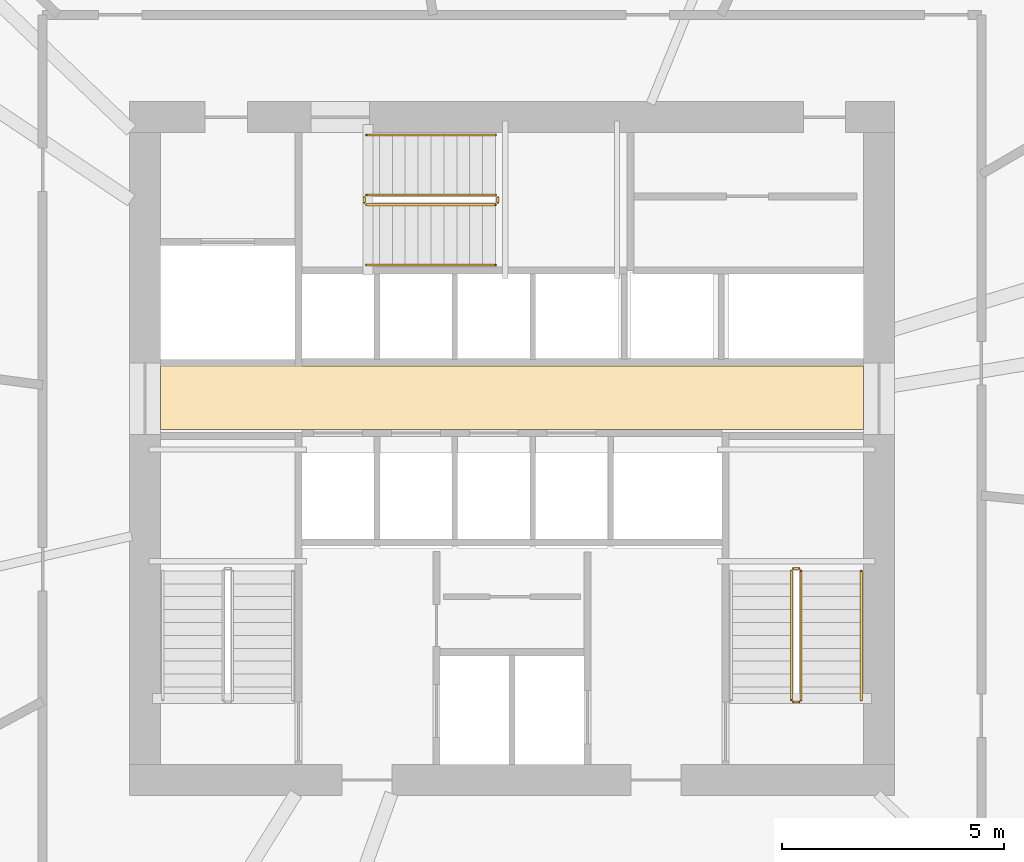
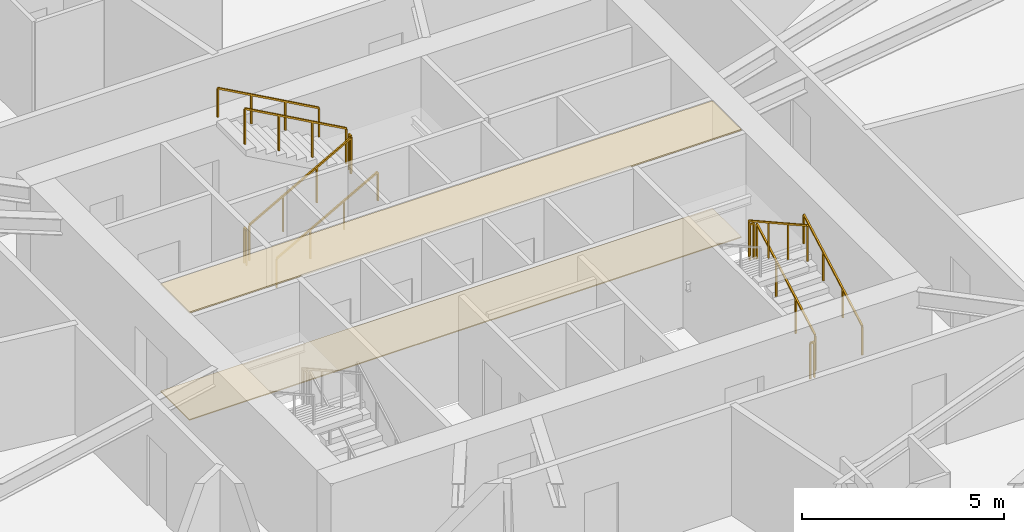
# One storey, part 20 of 22: 11 railings, 2 coverings.
"""IFC4 building model written with IfcOpenShell, lengths in metres."""

from ifc_helpers import new_model, si_unit, direction, frame, origin, origin_2d, place, context, subcontext, project, spatial, polyline, rectangle, outline, extrude, material, layer, layer_set, type_object, element, save


model = new_model("IFC4")

# Units and contexts
model_context = context("Model", 3, precision=1e-05, world=origin(), true_north=direction((0.0, 1.0)))
body_context = subcontext(model_context, "Body", "Model", "MODEL_VIEW")
ifc_project = project(units=[si_unit("LENGTHUNIT", "METRE"), si_unit("AREAUNIT", "SQUARE_METRE"), si_unit("VOLUMEUNIT", "CUBIC_METRE"), si_unit("PLANEANGLEUNIT", "RADIAN"), si_unit("MASSUNIT", "GRAM", prefix="KILO")], contexts=[model_context])

# Site, building, storey
site_placement = place(None, origin())
site = spatial("IfcSite", under=ifc_project, at=site_placement, CompositionType="ELEMENT")
building_placement = place(site_placement, origin())
building = spatial("IfcBuilding", under=site, at=building_placement, Name="Olszyna Solenne Hotel", CompositionType="ELEMENT")
storey_placement = place(building_placement, frame((0.0, 0.0, 87.949951171875)))
storey = spatial("IfcBuildingStorey", under=building, at=storey_placement, Name="L22", CompositionType="ELEMENT", Elevation=87.949951171875)

# Coverings
ifc_material_1 = material(Name="Mineral wool acoustic ceiling")
ifc_layer_1 = layer(ifc_material_1, 0.0400390625, Name="Mineral wool acoustic ceiling")
ifc_layer_set_1 = layer_set([ifc_layer_1], Name="Mineral wool acoustic ceiling")
covering_type_1 = type_object("IfcCoveringType", Name="CL-AC1", PredefinedType="CEILING", material=ifc_layer_set_1)
covering_1_placement = place(storey_placement, frame((0.0, 0.0, 3.239990234375)))
element("IfcCovering", 1, at=covering_1_placement, inside=storey, type_object=covering_type_1, Name="Lift lobby acoustic tile ceiling CL-L22-01", PredefinedType="CEILING", context=body_context, shape_type="SweptSolid", body=[
    extrude(outline(polyline([(30.10009765625, 27.030029296875), (45.89990234375, 27.030029296875), (45.89990234375, 28.4599609375), (30.10009765625, 28.4599609375), (30.10009765625, 27.030029296875)])), origin(), (0.0, 0.0, 1.0), 0.0400390625),
])
ifc_material_2 = material(Name="Ceramic floor tile")
ifc_layer_2 = layer(ifc_material_2, 0.030029296875, Name="Ceramic floor tile")
ifc_layer_set_2 = layer_set([ifc_layer_2], Name="Ceramic floor tile")
covering_type_2 = type_object("IfcCoveringType", Name="FL-TL1", PredefinedType="FLOORING", material=ifc_layer_set_2)
covering_2_placement = place(storey_placement, origin())
element("IfcCovering", 2, at=covering_2_placement, inside=storey, type_object=covering_type_2, Name="Lift lobby stoneware floor finish FLR-L22-01", PredefinedType="FLOORING", context=body_context, shape_type="SweptSolid", body=[
    extrude(outline(polyline([(30.10009765625, 27.030029296875), (45.89990234375, 27.030029296875), (45.89990234375, 28.4599609375), (30.10009765625, 28.4599609375), (30.10009765625, 27.030029296875)])), origin(), (0.0, 0.0, 1.0), 0.030029296875),
])

# Railings
ifc_material_3 = material(Name="Anodised bronze aluminium", Category="aluminium")
railing_type_1 = type_object("IfcRailingType", Name="GR-110", PredefinedType="BALUSTRADE", material=ifc_material_3)
railing_1_placement = place(storey_placement, frame((44.5, 20.949951171875, 0.161376953125)))
element("IfcRailing", 3, at=railing_1_placement, inside=storey, type_object=railing_type_1, Name="L22 ST2 stair guard 1", PredefinedType="BALUSTRADE", context=body_context, shape_type="SweptSolid", body=[
    extrude(rectangle(XDim=0.048095703125, YDim=0.048095703125, at=origin_2d()), frame((0.0, 0.0, 1.076171875), z_axis=(0.0, 0.873827439584, 0.48623616261), x_axis=(-1.0, 0.0, 0.0)), (0.0, 0.0, 1.0), 3.31884765625),
    extrude(rectangle(XDim=0.0419921875, YDim=0.0419921875, at=origin_2d()), origin(), (0.0, 0.0, 1.0), 1.052001953125),
    extrude(rectangle(XDim=0.0419921875, YDim=0.0419921875, at=origin_2d()), frame((0.0, 0.966796875, 0.537841796875)), (0.0, 0.0, 1.0), 1.052001953125),
    extrude(rectangle(XDim=0.0419921875, YDim=0.0419921875, at=origin_2d()), frame((0.0, 1.933349609375, 1.075927734375)), (0.0, 0.0, 1.0), 1.052001953125),
    extrude(rectangle(XDim=0.0419921875, YDim=0.0419921875, at=origin_2d()), frame((0.0, 2.900146484375, 1.61376953125)), (0.0, 0.0, 1.0), 1.052001953125),
])
railing_2_placement = place(storey_placement, frame((44.449951171875, 23.89990234375, 1.775146484375)))
element("IfcRailing", 4, at=railing_2_placement, inside=storey, type_object=railing_type_1, Name="L22 ST2 stair guard 2", PredefinedType="BALUSTRADE", context=body_context, shape_type="SweptSolid", body=[
    extrude(rectangle(XDim=0.048095703125, YDim=0.048095703125, at=origin_2d()), frame((0.0, 0.0, 1.076171875), z_axis=(-1.0, 0.0, 0.0), x_axis=(0.0, -1.0, 0.0)), (0.0, 0.0, 1.0), 0.119873046875),
    extrude(rectangle(XDim=0.0419921875, YDim=0.0419921875, at=origin_2d()), origin(), (0.0, 0.0, 1.0), 1.052001953125),
    extrude(rectangle(XDim=0.0419921875, YDim=0.0419921875, at=origin_2d()), frame((-0.119873046875, 0.0, 0.0)), (0.0, 0.0, 1.0), 1.052001953125),
])
railing_3_placement = place(storey_placement, frame((44.280029296875, 23.85009765625, 1.9365234375)))
element("IfcRailing", 5, at=railing_3_placement, inside=storey, type_object=railing_type_1, Name="L22 ST2 stair guard 3", PredefinedType="BALUSTRADE", context=body_context, shape_type="SweptSolid", body=[
    extrude(rectangle(XDim=0.048095703125, YDim=0.048095703125, at=origin_2d()), frame((0.0, 0.0, 1.076171875), z_axis=(0.0, -0.873858693841, 0.486179990537), x_axis=(1.0, 0.0, 0.0)), (0.0, 0.0, 1.0), 3.31884765625),
    extrude(rectangle(XDim=0.0419921875, YDim=0.0419921875, at=origin_2d()), origin(), (0.0, 0.0, 1.0), 1.052001953125),
    extrude(rectangle(XDim=0.0419921875, YDim=0.0419921875, at=origin_2d()), frame((0.0, -0.966796875, 0.537841796875)), (0.0, 0.0, 1.0), 1.052001953125),
    extrude(rectangle(XDim=0.0419921875, YDim=0.0419921875, at=origin_2d()), frame((0.0, -1.933349609375, 1.07568359375)), (0.0, 0.0, 1.0), 1.052001953125),
    extrude(rectangle(XDim=0.0419921875, YDim=0.0419921875, at=origin_2d()), frame((0.0, -2.900146484375, 1.613525390625)), (0.0, 0.0, 1.0), 1.052001953125),
])
railing_4_placement = place(storey_placement, frame((44.449951171875, 20.89990234375, 0.0)))
element("IfcRailing", 6, at=railing_4_placement, inside=storey, type_object=railing_type_1, Name="L22 ST2 stair guard 4", PredefinedType="BALUSTRADE", context=body_context, shape_type="SweptSolid", body=[
    extrude(rectangle(XDim=0.048095703125, YDim=0.048095703125, at=origin_2d()), frame((0.0, 0.0, 1.076171875), z_axis=(-1.0, 0.0, 0.0), x_axis=(0.0, -1.0, 0.0)), (0.0, 0.0, 1.0), 0.119873046875),
    extrude(rectangle(XDim=0.0419921875, YDim=0.0419921875, at=origin_2d()), origin(), (0.0, 0.0, 1.0), 1.052001953125),
    extrude(rectangle(XDim=0.0419921875, YDim=0.0419921875, at=origin_2d()), frame((-0.119873046875, 0.0, 0.0)), (0.0, 0.0, 1.0), 1.052001953125),
])
railing_5_placement = place(storey_placement, frame((34.72998046875, 32.080078125, 0.161376953125)))
element("IfcRailing", 7, at=railing_5_placement, inside=storey, type_object=railing_type_1, Name="L22 ST3 stair guard 1", PredefinedType="BALUSTRADE", context=body_context, shape_type="SweptSolid", body=[
    extrude(rectangle(XDim=0.048095703125, YDim=0.048095703125, at=origin_2d()), frame((0.0, 0.0, 1.076171875), z_axis=(0.873810046276, 0.0, 0.486267419253), x_axis=(0.0, 1.0, 0.0)), (0.0, 0.0, 1.0), 3.318603515625),
    extrude(rectangle(XDim=0.0419921875, YDim=0.0419921875, at=origin_2d()), origin(), (0.0, 0.0, 1.0), 1.052001953125),
    extrude(rectangle(XDim=0.0419921875, YDim=0.0419921875, at=origin_2d()), frame((0.966552734375, 0.0, 0.537841796875)), (0.0, 0.0, 1.0), 1.052001953125),
    extrude(rectangle(XDim=0.0419921875, YDim=0.0419921875, at=origin_2d()), frame((1.933349609375, 0.0, 1.075927734375)), (0.0, 0.0, 1.0), 1.052001953125),
    extrude(rectangle(XDim=0.0419921875, YDim=0.0419921875, at=origin_2d()), frame((2.89990234375, 0.0, 1.61376953125)), (0.0, 0.0, 1.0), 1.052001953125),
])
railing_6_placement = place(storey_placement, frame((37.679931640625, 32.1298828125, 1.775146484375)))
element("IfcRailing", 8, at=railing_6_placement, inside=storey, type_object=railing_type_1, Name="L22 ST3 stair guard 2", PredefinedType="BALUSTRADE", context=body_context, shape_type="SweptSolid", body=[
    extrude(rectangle(XDim=0.048095703125, YDim=0.048095703125, at=origin_2d()), frame((0.0, 0.0, 1.076171875), z_axis=(0.0, 1.0, 0.0), x_axis=(-1.0, 0.0, 0.0)), (0.0, 0.0, 1.0), 0.1201171875),
    extrude(rectangle(XDim=0.0419921875, YDim=0.0419921875, at=origin_2d()), origin(), (0.0, 0.0, 1.0), 1.052001953125),
    extrude(rectangle(XDim=0.0419921875, YDim=0.0419921875, at=origin_2d()), frame((0.0, 0.1201171875, 0.0)), (0.0, 0.0, 1.0), 1.052001953125),
])
railing_7_placement = place(storey_placement, frame((37.6298828125, 32.300048828125, 1.9365234375)))
element("IfcRailing", 9, at=railing_7_placement, inside=storey, type_object=railing_type_1, Name="L22 ST3 stair guard 3", PredefinedType="BALUSTRADE", context=body_context, shape_type="SweptSolid", body=[
    extrude(rectangle(XDim=0.048095703125, YDim=0.048095703125, at=origin_2d()), frame((0.0, 0.0, 1.076171875), z_axis=(-0.873841303929, 0.0, 0.486211245805), x_axis=(0.0, -1.0, 0.0)), (0.0, 0.0, 1.0), 3.318603515625),
    extrude(rectangle(XDim=0.0419921875, YDim=0.0419921875, at=origin_2d()), origin(), (0.0, 0.0, 1.0), 1.052001953125),
    extrude(rectangle(XDim=0.0419921875, YDim=0.0419921875, at=origin_2d()), frame((-0.966552734375, 0.0, 0.537841796875)), (0.0, 0.0, 1.0), 1.052001953125),
    extrude(rectangle(XDim=0.0419921875, YDim=0.0419921875, at=origin_2d()), frame((-1.933349609375, 0.0, 1.07568359375)), (0.0, 0.0, 1.0), 1.052001953125),
    extrude(rectangle(XDim=0.0419921875, YDim=0.0419921875, at=origin_2d()), frame((-2.89990234375, 0.0, 1.613525390625)), (0.0, 0.0, 1.0), 1.052001953125),
])
railing_8_placement = place(storey_placement, frame((34.679931640625, 32.1298828125, 0.0)))
element("IfcRailing", 10, at=railing_8_placement, inside=storey, type_object=railing_type_1, Name="L22 ST3 stair guard 4", PredefinedType="BALUSTRADE", context=body_context, shape_type="SweptSolid", body=[
    extrude(rectangle(XDim=0.048095703125, YDim=0.048095703125, at=origin_2d()), frame((0.0, 0.0, 1.076171875), z_axis=(0.0, 1.0, 0.0), x_axis=(-1.0, 0.0, 0.0)), (0.0, 0.0, 1.0), 0.1201171875),
    extrude(rectangle(XDim=0.0419921875, YDim=0.0419921875, at=origin_2d()), origin(), (0.0, 0.0, 1.0), 1.052001953125),
    extrude(rectangle(XDim=0.0419921875, YDim=0.0419921875, at=origin_2d()), frame((0.0, 0.1201171875, 0.0)), (0.0, 0.0, 1.0), 1.052001953125),
])
ifc_material_4 = material(Name="Steel S355J2", Category="steel")
railing_type_2 = type_object("IfcRailingType", Name="HR-090", PredefinedType="HANDRAIL", material=ifc_material_4)
railing_9_placement = place(storey_placement, frame((45.85009765625, 20.949951171875, 0.161376953125)))
element("IfcRailing", 11, at=railing_9_placement, inside=storey, type_object=railing_type_2, Name="L22 ST2 stair handrail 1", PredefinedType="HANDRAIL", context=body_context, shape_type="SweptSolid", body=[
    extrude(rectangle(XDim=0.048095703125, YDim=0.048095703125, at=origin_2d()), frame((0.0, 0.0, 0.8759765625), z_axis=(0.0, 0.873827439584, 0.48623616261), x_axis=(-1.0, 0.0, 0.0)), (0.0, 0.0, 1.0), 3.31884765625),
    extrude(rectangle(XDim=0.0419921875, YDim=0.0419921875, at=origin_2d()), origin(), (0.0, 0.0, 1.0), 0.851806640625),
    extrude(rectangle(XDim=0.0419921875, YDim=0.0419921875, at=origin_2d()), frame((0.0, 0.966796875, 0.537841796875)), (0.0, 0.0, 1.0), 0.851806640625),
    extrude(rectangle(XDim=0.0419921875, YDim=0.0419921875, at=origin_2d()), frame((0.0, 1.933349609375, 1.075927734375)), (0.0, 0.0, 1.0), 0.851806640625),
    extrude(rectangle(XDim=0.0419921875, YDim=0.0419921875, at=origin_2d()), frame((0.0, 2.900146484375, 1.61376953125)), (0.0, 0.0, 1.0), 0.851806640625),
])
railing_10_placement = place(storey_placement, frame((34.72998046875, 30.72998046875, 0.161376953125)))
element("IfcRailing", 12, at=railing_10_placement, inside=storey, type_object=railing_type_2, Name="L22 ST3 stair handrail 1", PredefinedType="HANDRAIL", context=body_context, shape_type="SweptSolid", body=[
    extrude(rectangle(XDim=0.048095703125, YDim=0.048095703125, at=origin_2d()), frame((0.0, 0.0, 0.8759765625), z_axis=(0.873810046276, 0.0, 0.486267419253), x_axis=(0.0, 1.0, 0.0)), (0.0, 0.0, 1.0), 3.318603515625),
    extrude(rectangle(XDim=0.0419921875, YDim=0.0419921875, at=origin_2d()), origin(), (0.0, 0.0, 1.0), 0.851806640625),
    extrude(rectangle(XDim=0.0419921875, YDim=0.0419921875, at=origin_2d()), frame((0.966552734375, 0.0, 0.537841796875)), (0.0, 0.0, 1.0), 0.851806640625),
    extrude(rectangle(XDim=0.0419921875, YDim=0.0419921875, at=origin_2d()), frame((1.933349609375, 0.0, 1.075927734375)), (0.0, 0.0, 1.0), 0.851806640625),
    extrude(rectangle(XDim=0.0419921875, YDim=0.0419921875, at=origin_2d()), frame((2.89990234375, 0.0, 1.61376953125)), (0.0, 0.0, 1.0), 0.851806640625),
])
railing_11_placement = place(storey_placement, frame((37.6298828125, 33.64990234375, 1.9365234375)))
element("IfcRailing", 13, at=railing_11_placement, inside=storey, type_object=railing_type_2, Name="L22 ST3 stair handrail 2", PredefinedType="HANDRAIL", context=body_context, shape_type="SweptSolid", body=[
    extrude(rectangle(XDim=0.048095703125, YDim=0.048095703125, at=origin_2d()), frame((0.0, 0.0, 0.8759765625), z_axis=(-0.873841303929, 0.0, 0.486211245805), x_axis=(0.0, -1.0, 0.0)), (0.0, 0.0, 1.0), 3.318603515625),
    extrude(rectangle(XDim=0.0419921875, YDim=0.0419921875, at=origin_2d()), origin(), (0.0, 0.0, 1.0), 0.851806640625),
    extrude(rectangle(XDim=0.0419921875, YDim=0.0419921875, at=origin_2d()), frame((-0.966552734375, 0.0, 0.537841796875)), (0.0, 0.0, 1.0), 0.851806640625),
    extrude(rectangle(XDim=0.0419921875, YDim=0.0419921875, at=origin_2d()), frame((-1.933349609375, 0.0, 1.07568359375)), (0.0, 0.0, 1.0), 0.851806640625),
    extrude(rectangle(XDim=0.0419921875, YDim=0.0419921875, at=origin_2d()), frame((-2.89990234375, 0.0, 1.613525390625)), (0.0, 0.0, 1.0), 0.851806640625),
])

save(model, "model.ifc")
